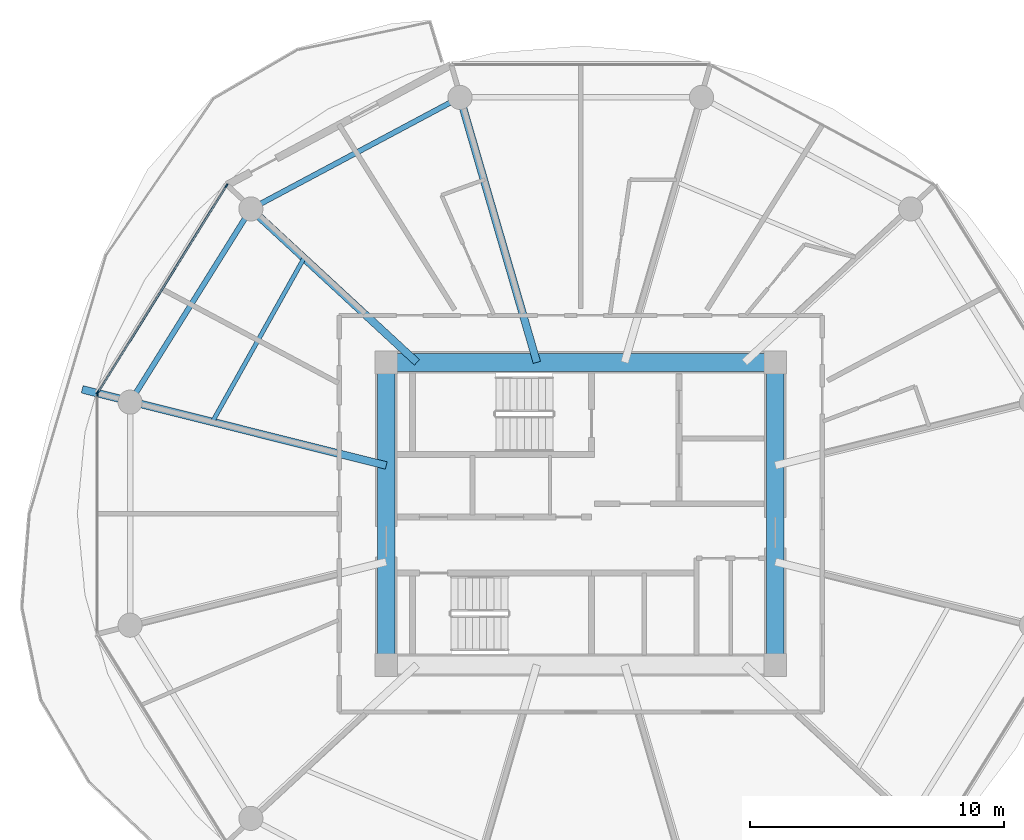
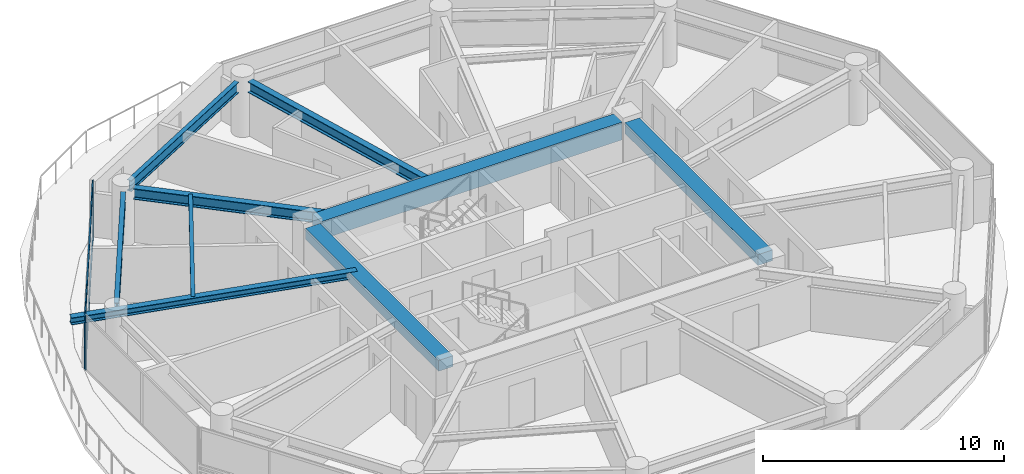
# One storey, part 4 of 27: 9 beams, 5 members, 2 elements without a shape of their own.
"""IFC4 building model written with IfcOpenShell, lengths in metres."""

from ifc_helpers import new_model, si_unit, direction, frame, origin, origin_2d, place, context, subcontext, project, spatial, rectangle, i_section, extrude, source, transform, mapped, material, layer, layer_set, material_profile, profile_set, type_object, type_shapes, element, aggregate, save


model = new_model("IFC4")

# Units and contexts
model_context = context("Model", 3, precision=1e-05, world=origin(), true_north=direction((0.0, 1.0)))
body_context = subcontext(model_context, "Body", "Model", "MODEL_VIEW")
ifc_project = project(units=[si_unit("LENGTHUNIT", "METRE"), si_unit("AREAUNIT", "SQUARE_METRE"), si_unit("VOLUMEUNIT", "CUBIC_METRE"), si_unit("PLANEANGLEUNIT", "RADIAN"), si_unit("MASSUNIT", "GRAM", prefix="KILO")], contexts=[model_context])

# Site, building, storey
site_placement = place(None, origin())
site = spatial("IfcSite", under=ifc_project, at=site_placement, CompositionType="ELEMENT")
building_placement = place(site_placement, origin())
building = spatial("IfcBuilding", under=site, at=building_placement, Name="Norrkilde Senior Care Towers", CompositionType="ELEMENT")
storey_placement = place(building_placement, frame((0.0, 0.0, 30.75)))
storey = spatial("IfcBuildingStorey", under=building, at=storey_placement, Name="L08", CompositionType="ELEMENT", Elevation=30.75)

# Beams
ifc_material_1 = material(Name="Concrete C60/75", Category="concrete")
ifc_material_profile_1 = material_profile(ifc_material_1, rectangle(XDim=0.699951171875, YDim=0.89990234375, at=origin_2d()), Name="RC BM 700x900")
ifc_profile_set_1 = profile_set([ifc_material_profile_1], Name="Concrete C60/75")
beam_type_1 = type_object("IfcBeamType", Name="Core Coupling Girder 700x900", PredefinedType="USERDEFINED", material=ifc_profile_set_1)
shared_shape_1 = source(origin(), body_context, "Body", "SweptSolid", [
    extrude(rectangle(XDim=0.699951171875, YDim=0.89990234375, at=origin_2d()), origin(), (0.0, 0.0, 1.0), 14.43994140625),
])
type_shapes(beam_type_1, [shared_shape_1])
beam_1_placement = place(storey_placement, frame((-35.219970703125, 5.949951171875, 2.340087890625), z_axis=(1.0, 0.0, 0.0), x_axis=(0.0, 1.0, 0.0)))
element("IfcBeam", 1, at=beam_1_placement, inside=storey, type_object=beam_type_1, Name="L08 Core W N Coupling Girder", ObjectType="GIRDER", PredefinedType="USERDEFINED", context=body_context, shape_type="MappedRepresentation", body=[
    mapped(shared_shape_1, transform((0.0, 0.0, 0.0), x_axis=(1.0, 0.0, 0.0), y_axis=(0.0, 1.0, 0.0), z_axis=(0.0, 0.0, 1.0), scale=1.0)),
])
ifc_material_profile_2 = material_profile(ifc_material_1, rectangle(XDim=0.699951171875, YDim=0.550048828125, at=origin_2d()), Name="RC BM 700x550")
ifc_profile_set_2 = profile_set([ifc_material_profile_2], Name="Concrete C60/75")
beam_type_2 = type_object("IfcBeamType", Name="Core Portal Coupling Beam 700x550", PredefinedType="USERDEFINED", material=ifc_profile_set_2)
shared_shape_2 = source(origin(), body_context, "Body", "SweptSolid", [
    extrude(rectangle(XDim=0.699951171875, YDim=0.550048828125, at=origin_2d()), origin(), (0.0, 0.0, 1.0), 11.0400390625),
])
type_shapes(beam_type_2, [shared_shape_2])
for number, where, z_axis, x_axis, name in (
    (2, (-35.64990234375, -5.52001953125, 2.514892578125), (0.0, 1.0, 0.0), (-1.0, 0.0, 0.0), "L08 Core W W Coupling Girder"),
    (3, (-20.35009765625, -5.52001953125, 2.514892578125), (0.0, 1.0, 0.0), (-1.0, 0.0, 0.0), "L08 Core W E Coupling Girder"),
):
    element("IfcBeam", number, at=place(storey_placement, frame(where, z_axis=z_axis, x_axis=x_axis)), inside=storey, type_object=beam_type_2, Name=name, ObjectType="GIRDER", PredefinedType="USERDEFINED", context=body_context, shape_type="MappedRepresentation", body=[
        mapped(shared_shape_2, transform((0.0, 0.0, 0.0), x_axis=(1.0, 0.0, 0.0), y_axis=(0.0, 1.0, 0.0), z_axis=(0.0, 0.0, 1.0), scale=1.0)),
    ])
ifc_material_2 = material(Name="Steel S355", Category="steel")
ifc_material_profile_3 = material_profile(ifc_material_2, i_section(OverallWidth=0.2099609375, OverallDepth=0.550048828125, WebThickness=0.010986328125, FlangeThickness=0.01708984375, FilletRadius=0.02392578125, at=origin_2d()), Name="IPE 550")
ifc_profile_set_3 = profile_set([ifc_material_profile_3], Name="Steel S355")
beam_type_3 = type_object("IfcBeamType", Name="Perimeter Ring Spandrel Z1 IPE550", PredefinedType="SPANDREL", material=ifc_profile_set_3)
shared_shape_3 = source(origin(), body_context, "Body", "SweptSolid", [
    extrude(i_section(OverallWidth=0.2099609375, OverallDepth=0.550048828125, WebThickness=0.010986328125, FlangeThickness=0.01708984375, FilletRadius=0.02392578125, at=origin_2d()), origin(), (0.0, 0.0, 1.0), 8.090576171875),
])
beam_2_placement = place(storey_placement, frame((-41.2060546875, 11.61669921875, 2.514892578125), z_axis=(-0.530004364821, -0.84799491347, 0.0), x_axis=(0.84799491347, -0.530004364821, 0.0)))
element("IfcBeam", 4, at=beam_2_placement, inside=storey, type_object=beam_type_3, Name="L08 Drum W Perimeter Spandrel 05", PredefinedType="SPANDREL", context=body_context, shape_type="MappedRepresentation", body=[
    mapped(shared_shape_3, transform((0.0, 0.0, 0.0), x_axis=(1.0, 0.0, 0.0), y_axis=(0.0, 1.0, 0.0), z_axis=(0.0, 0.0, 1.0), scale=1.0)),
])
shared_shape_4 = source(origin(), body_context, "Body", "SweptSolid", [
    extrude(i_section(OverallWidth=0.2099609375, OverallDepth=0.550048828125, WebThickness=0.010986328125, FlangeThickness=0.01708984375, FilletRadius=0.02392578125, at=origin_2d()), origin(), (0.0, 0.0, 1.0), 8.452880859375),
])
type_shapes(beam_type_3, [shared_shape_3, shared_shape_4])
beam_3_placement = place(storey_placement, frame((-33.133056640625, 16.167724609375, 2.514892578125), z_axis=(-0.882368931134, -0.470558252898, 0.0), x_axis=(0.470558252898, -0.882368931134, 0.0)))
element("IfcBeam", 5, at=beam_3_placement, inside=storey, type_object=beam_type_3, Name="L08 Drum W Perimeter Spandrel 04", PredefinedType="SPANDREL", context=body_context, shape_type="MappedRepresentation", body=[
    mapped(shared_shape_4, transform((0.0, 0.0, 0.0), x_axis=(1.0, 0.0, 0.0), y_axis=(0.0, 1.0, 0.0), z_axis=(0.0, 0.0, 1.0), scale=1.0)),
])
ifc_material_profile_4 = material_profile(ifc_material_2, i_section(OverallWidth=0.300048828125, OverallDepth=0.550048828125, WebThickness=0.014892578125, FlangeThickness=0.029052734375, FilletRadius=0.027099609375, at=origin_2d()), Name="HEB 550")
ifc_profile_set_4 = profile_set([ifc_material_profile_4], Name="Steel S355")
beam_type_4 = type_object("IfcBeamType", Name="Radial Floor Beam Z1 HEB550", PredefinedType="BEAM", material=ifc_profile_set_4)
shared_shape_5 = source(origin(), body_context, "Body", "SweptSolid", [
    extrude(i_section(OverallWidth=0.300048828125, OverallDepth=0.550048828125, WebThickness=0.014892578125, FlangeThickness=0.029052734375, FilletRadius=0.027099609375, at=origin_2d()), origin(), (0.0, 0.0, 1.0), 8.459716796875),
])
beam_4_placement = place(storey_placement, frame((-34.44140625, 5.949951171875, 2.514892578125), z_axis=(-0.734573269108, 0.678529374686, 0.0), x_axis=(-0.678529374686, -0.734573269108, 0.0)))
element("IfcBeam", 6, at=beam_4_placement, inside=storey, type_object=beam_type_4, Name="L08 Drum W Radial Floor Beam 05", PredefinedType="BEAM", context=body_context, shape_type="MappedRepresentation", body=[
    mapped(shared_shape_5, transform((0.0, 0.0, 0.0), x_axis=(1.0, 0.0, 0.0), y_axis=(0.0, 1.0, 0.0), z_axis=(0.0, 0.0, 1.0), scale=1.0)),
])
shared_shape_6 = source(origin(), body_context, "Body", "SweptSolid", [
    extrude(i_section(OverallWidth=0.300048828125, OverallDepth=0.550048828125, WebThickness=0.014892578125, FlangeThickness=0.029052734375, FilletRadius=0.027099609375, at=origin_2d()), origin(), (0.0, 0.0, 1.0), 10.4169921875),
])
type_shapes(beam_type_4, [shared_shape_5, shared_shape_6])
beam_5_placement = place(storey_placement, frame((-29.72607421875, 5.949951171875, 2.514892578125), z_axis=(-0.278591250785, 0.960409764104, 0.0), x_axis=(-0.960409764104, -0.278591250785, 0.0)))
element("IfcBeam", 7, at=beam_5_placement, inside=storey, type_object=beam_type_4, Name="L08 Drum W Radial Floor Beam 04", PredefinedType="BEAM", context=body_context, shape_type="MappedRepresentation", body=[
    mapped(shared_shape_6, transform((0.0, 0.0, 0.0), x_axis=(1.0, 0.0, 0.0), y_axis=(0.0, 1.0, 0.0), z_axis=(0.0, 0.0, 1.0), scale=1.0)),
])
ifc_material_profile_5 = material_profile(ifc_material_2, i_section(OverallWidth=0.169921875, OverallDepth=0.360107421875, WebThickness=0.008056640625, FlangeThickness=0.0126953125, FilletRadius=0.01806640625, at=origin_2d()), Name="IPE 360")
ifc_profile_set_5 = profile_set([ifc_material_profile_5], Name="Steel S355")
beam_type_5 = type_object("IfcBeamType", Name="Secondary Floor Joist IPE360", PredefinedType="JOIST", material=ifc_profile_set_5)
shared_shape_7 = source(origin(), body_context, "Body", "SweptSolid", [
    extrude(i_section(OverallWidth=0.169921875, OverallDepth=0.360107421875, WebThickness=0.008056640625, FlangeThickness=0.0126953125, FilletRadius=0.01806640625, at=origin_2d()), origin(), (0.0, 0.0, 1.0), 7.40771484375),
])
type_shapes(beam_type_5, [shared_shape_7])
beam_6_placement = place(storey_placement, frame((-38.884521484375, 10.05419921875, 2.610107421875), z_axis=(-0.488167754092, -0.872749817453, 0.0), x_axis=(0.872749817453, -0.488167754092, 0.0)))
element("IfcBeam", 8, at=beam_6_placement, inside=storey, type_object=beam_type_5, Name="L08 Drum W Secondary Floor Joist 2", PredefinedType="JOIST", context=body_context, shape_type="MappedRepresentation", body=[
    mapped(shared_shape_7, transform((0.0, 0.0, 0.0), x_axis=(1.0, 0.0, 0.0), y_axis=(0.0, 1.0, 0.0), z_axis=(0.0, 0.0, 1.0), scale=1.0)),
])
ifc_material_profile_6 = material_profile(ifc_material_2, i_section(OverallWidth=0.300048828125, OverallDepth=0.360107421875, WebThickness=0.012451171875, FlangeThickness=0.0224609375, FilletRadius=0.027099609375, at=origin_2d()), Name="HEB 360")
ifc_profile_set_6 = profile_set([ifc_material_profile_6], Name="Steel S355")
beam_type_6 = type_object("IfcBeamType", Name="Balcony Crest Cantilever Rib HEB360", PredefinedType="BEAM", material=ifc_profile_set_6)
shared_shape_8 = source(origin(), body_context, "Body", "SweptSolid", [
    extrude(i_section(OverallWidth=0.300048828125, OverallDepth=0.360107421875, WebThickness=0.012451171875, FlangeThickness=0.0224609375, FilletRadius=0.027099609375, at=origin_2d()), origin(), (0.0, 0.0, 1.0), 12.32861328125),
])
type_shapes(beam_type_6, [shared_shape_8])
beam_7_placement = place(storey_placement, frame((-35.64990234375, 1.893310546875, 2.610107421875), z_axis=(-0.969976863562, 0.243197212474, 0.0), x_axis=(-0.243197212474, -0.969976863562, 0.0)))
element("IfcBeam", 9, at=beam_7_placement, inside=storey, type_object=beam_type_6, Name="L08 Drum W Balcony Cantilever Rib", PredefinedType="BEAM", context=body_context, shape_type="MappedRepresentation", body=[
    mapped(shared_shape_8, transform((0.0, 0.0, 0.0), x_axis=(1.0, 0.0, 0.0), y_axis=(0.0, 1.0, 0.0), z_axis=(0.0, 0.0, 1.0), scale=1.0)),
])

# Curtain wall, members
ifc_material_3 = material(Name="Triple Low-E Insulated Glazing", Category="glass")
ifc_layer = layer(ifc_material_3, 0.199951171875)
ifc_layer_set = layer_set([ifc_layer], Name="Triple Low-E Insulated Glazing")
curtain_wall_type = type_object("IfcCurtainWallType", Name="CW2 Zone 1 Memory Care Curtain Wall", PredefinedType="NOTDEFINED", material=ifc_layer_set)
curtain_wall_1_placement = place(storey_placement, origin())
curtain_wall_1 = element("IfcCurtainWall", 10, at=curtain_wall_1_placement, inside=storey, type_object=curtain_wall_type, Name="L08 Drum W Curtain Wall 04", PredefinedType="NOTDEFINED")
ifc_material_4 = material(Name="Anodised Aluminium", Category="aluminium")
ifc_material_profile_7 = material_profile(ifc_material_4, rectangle(XDim=0.06494140625, YDim=0.159912109375, at=origin_2d()), Name="ALU MULL 65x160")
ifc_profile_set_7 = profile_set([ifc_material_profile_7], Name="Anodised Aluminium")
member_type_1 = type_object("IfcMemberType", Name="Curtain Wall Mullion Z1-Z2 65x160", PredefinedType="MULLION", material=ifc_profile_set_7)
shared_shape_9 = source(origin(), body_context, "Body", "SweptSolid", [
    extrude(rectangle(XDim=0.06494140625, YDim=0.159912109375, at=origin_2d()), origin(), (0.0, 0.0, 1.0), 2.7900390625),
])
type_shapes(member_type_1, [shared_shape_9])
member_1_placement = place(storey_placement, frame((-46.9921875, 4.7587890625, 0.0), z_axis=(0.0, 0.0, 1.0), x_axis=(-0.849305943117, 0.527900951871, 0.0)))
member_1 = element("IfcMember", 11, at=member_1_placement, type_object=member_type_1, Name="CW-2 mullion 1", PredefinedType="MULLION", context=body_context, shape_type="MappedRepresentation", body=[
    mapped(shared_shape_9, transform((0.0, 0.0, 0.0), x_axis=(1.0, 0.0, 0.0), y_axis=(0.0, 1.0, 0.0), z_axis=(0.0, 0.0, 1.0), scale=1.0)),
])
member_2_placement = place(storey_placement, frame((-41.93310546875, 12.898193359375, 0.0), z_axis=(0.0, 0.0, 1.0), x_axis=(-0.849305943117, 0.527900951871, 0.0)))
member_2 = element("IfcMember", 12, at=member_2_placement, type_object=member_type_1, Name="CW-2 mullion 2", PredefinedType="MULLION", context=body_context, shape_type="MappedRepresentation", body=[
    mapped(shared_shape_9, transform((0.0, 0.0, 0.0), x_axis=(1.0, 0.0, 0.0), y_axis=(0.0, 1.0, 0.0), z_axis=(0.0, 0.0, 1.0), scale=1.0)),
])

# Curtain wall, member
curtain_wall_2_placement = place(storey_placement, origin())
curtain_wall_2 = element("IfcCurtainWall", 13, at=curtain_wall_2_placement, inside=storey, type_object=curtain_wall_type, Name="L08 Drum W Curtain Wall 05", PredefinedType="NOTDEFINED")
member_3_placement = place(storey_placement, frame((-47.009521484375, 4.69873046875, 0.0), z_axis=(0.0, 0.0, 1.0), x_axis=(-1.0, 0.0, 0.0)))
member_3 = element("IfcMember", 14, at=member_3_placement, type_object=member_type_1, Name="CW-2 mullion 2", PredefinedType="MULLION", context=body_context, shape_type="MappedRepresentation", body=[
    mapped(shared_shape_9, transform((0.0, 0.0, 0.0), x_axis=(1.0, 0.0, 0.0), y_axis=(0.0, 1.0, 0.0), z_axis=(0.0, 0.0, 1.0), scale=1.0)),
])
aggregate(curtain_wall_2, [member_3])

# Member
ifc_material_profile_8 = material_profile(ifc_material_4, rectangle(XDim=0.06005859375, YDim=0.1201171875, at=origin_2d()), Name="ALU TRAN 60x120")
ifc_profile_set_8 = profile_set([ifc_material_profile_8], Name="Anodised Aluminium")
member_type_2 = type_object("IfcMemberType", Name="Curtain Wall Transom Typical 60x120", PredefinedType="USERDEFINED", material=ifc_profile_set_8)
shared_shape_10 = source(origin(), body_context, "Body", "SweptSolid", [
    extrude(rectangle(XDim=0.06005859375, YDim=0.1201171875, at=origin_2d()), origin(), (0.0, 0.0, 1.0), 9.5185546875),
])
type_shapes(member_type_2, [shared_shape_10])
member_4_placement = place(storey_placement, frame((-46.97509765625, 4.786376953125, 0.030029296875), z_axis=(0.527901620669, 0.849305527413, 0.0), x_axis=(-0.849305527413, 0.527901620669, 0.0)))
member_4 = element("IfcMember", 15, at=member_4_placement, type_object=member_type_2, Name="CW-2 transom 1.1", ObjectType="TRANSOM", PredefinedType="USERDEFINED", context=body_context, shape_type="MappedRepresentation", body=[
    mapped(shared_shape_10, transform((0.0, 0.0, 0.0), x_axis=(1.0, 0.0, 0.0), y_axis=(0.0, 1.0, 0.0), z_axis=(0.0, 0.0, 1.0), scale=1.0)),
])

member_5_placement = place(storey_placement, frame((-46.97509765625, 4.786376953125, 2.760009765625), z_axis=(0.527901620669, 0.849305527413, 0.0), x_axis=(-0.849305527413, 0.527901620669, 0.0)))
member_5 = element("IfcMember", 16, at=member_5_placement, type_object=member_type_2, Name="CW-2 transom 1.2", ObjectType="TRANSOM", PredefinedType="USERDEFINED", context=body_context, shape_type="MappedRepresentation", body=[
    mapped(shared_shape_10, transform((0.0, 0.0, 0.0), x_axis=(1.0, 0.0, 0.0), y_axis=(0.0, 1.0, 0.0), z_axis=(0.0, 0.0, 1.0), scale=1.0)),
])

aggregate(curtain_wall_1, [member_1, member_2, member_4, member_5])

save(model, "model.ifc")
